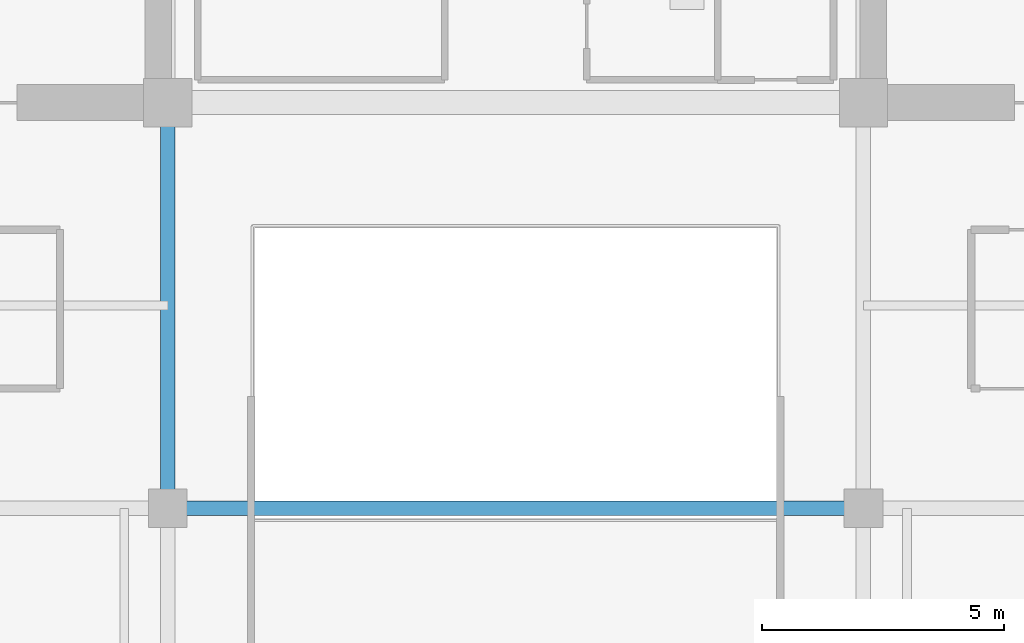
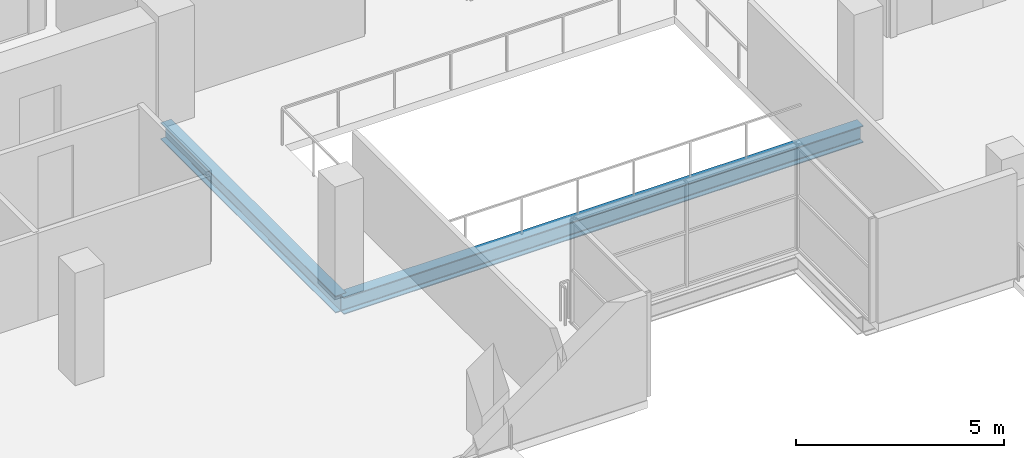
# One storey, part 4 of 21: 2 beams.
"""IFC4 building model written with IfcOpenShell, lengths in metres."""

from ifc_helpers import new_model, si_unit, direction, frame, origin, origin_2d, place, context, subcontext, project, spatial, i_section, extrude, material, material_profile, profile_set, type_object, element, save


model = new_model("IFC4")

# Units and contexts
model_context = context("Model", 3, precision=1e-05, world=origin(), true_north=direction((0.0, 1.0)))
body_context = subcontext(model_context, "Body", "Model", "MODEL_VIEW")
ifc_project = project(units=[si_unit("LENGTHUNIT", "METRE"), si_unit("AREAUNIT", "SQUARE_METRE"), si_unit("VOLUMEUNIT", "CUBIC_METRE"), si_unit("PLANEANGLEUNIT", "RADIAN"), si_unit("MASSUNIT", "GRAM", prefix="KILO")], contexts=[model_context])

# Site, building, storey
site_placement = place(None, origin())
site = spatial("IfcSite", under=ifc_project, at=site_placement, CompositionType="ELEMENT")
building_placement = place(site_placement, origin())
building = spatial("IfcBuilding", under=site, at=building_placement, Name="Zarnakvel Exchange Tower", CompositionType="ELEMENT")
storey_placement = place(building_placement, frame((0.0, 0.0, 185.800048828125)))
storey = spatial("IfcBuildingStorey", under=building, at=storey_placement, Name="L52", CompositionType="ELEMENT", Elevation=185.800048828125)

# Beams
ifc_material = material(Name="Steel S355", Category="steel")
ifc_material_profile = material_profile(ifc_material, i_section(OverallWidth=0.300048828125, OverallDepth=0.5, WebThickness=0.014404296875, FlangeThickness=0.028076171875, FilletRadius=0.027099609375, at=origin_2d()))
ifc_profile_set = profile_set([ifc_material_profile], Name="Steel S355")
beam_type = type_object("IfcBeamType", Name="G-06", PredefinedType="BEAM", material=ifc_profile_set)
beam_1_placement = place(storey_placement, frame((-7.199951171875, -9.60009765625, -0.47509765625), z_axis=(1.0, 0.0, 0.0), x_axis=(0.0, 1.0, 0.0)))
element("IfcBeam", 1, at=beam_1_placement, inside=storey, type_object=beam_type, Name="L52 Tower E-W Frame Beam", PredefinedType="BEAM", context=body_context, shape_type="SweptSolid", body=[
    extrude(i_section(OverallWidth=0.300048828125, OverallDepth=0.5, WebThickness=0.014404296875, FlangeThickness=0.028076171875, FilletRadius=0.027099609375, at=origin_2d()), origin(), (0.0, 0.0, 1.0), 14.39990234375),
])
beam_2_placement = place(storey_placement, frame((-7.199951171875, -9.60009765625, -0.47509765625), z_axis=(0.0, 1.0, 0.0), x_axis=(-1.0, 0.0, 0.0)))
element("IfcBeam", 2, at=beam_2_placement, inside=storey, type_object=beam_type, Name="L52 Tower N-S Frame Beam", PredefinedType="BEAM", context=body_context, shape_type="SweptSolid", body=[
    extrude(i_section(OverallWidth=0.300048828125, OverallDepth=0.5, WebThickness=0.014404296875, FlangeThickness=0.028076171875, FilletRadius=0.027099609375, at=origin_2d()), origin(), (0.0, 0.0, 1.0), 8.400146484375),
])

save(model, "model.ifc")
